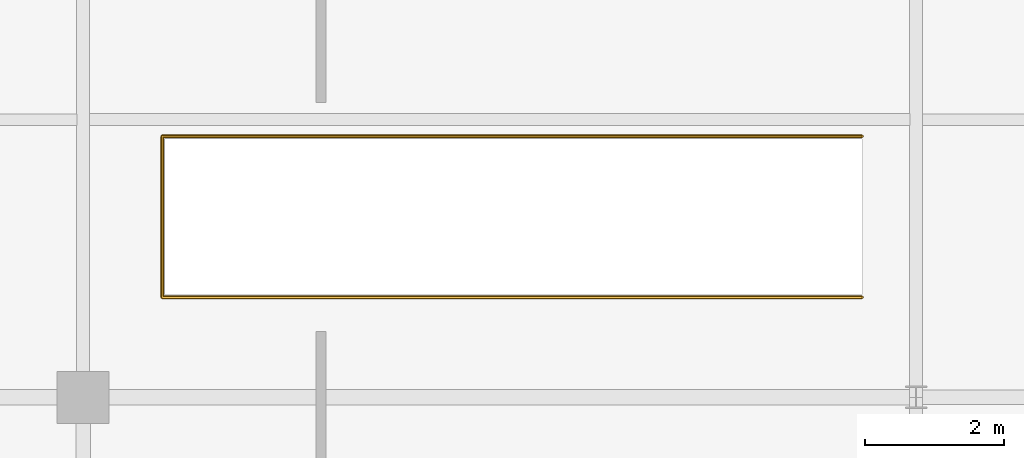
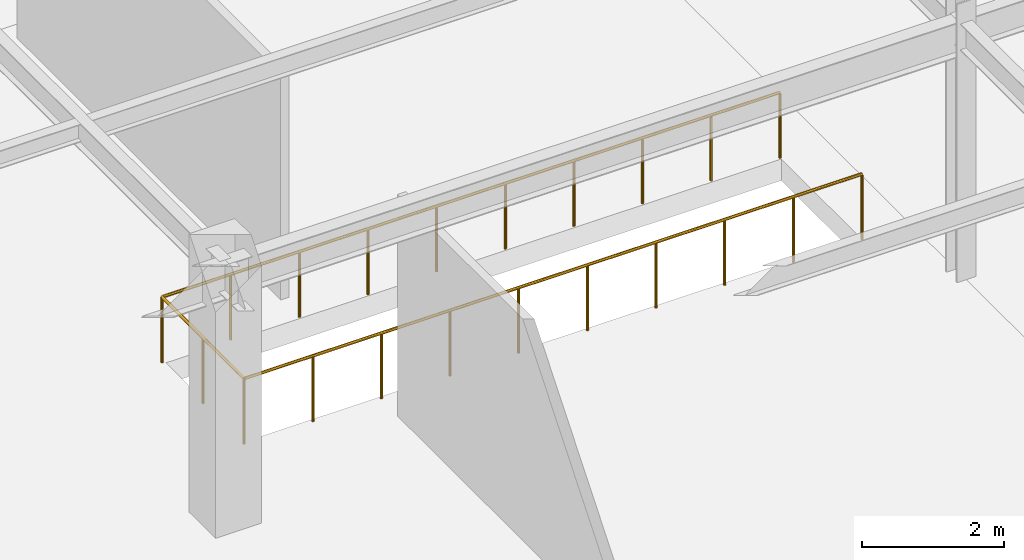
# One storey, part 177 of 199: 1 railing.
"""IFC4 building model written with IfcOpenShell, lengths in metres."""

import ifcopenshell
import ifcopenshell.guid

model = None  # the IFC model being written
_history = None  # IfcOwnerHistory: only IFC2X3 demands one
_inside = {}  # id of a spatial element -> (the spatial element, [elements in it])
_under = {}  # id of a project, library or spatial element -> (it, [spatial elements below it])
_declared = {}  # id of a project -> (the project, [libraries it declares])
_typed = {}  # id of a type object -> (the type object, [elements of that type])
_made_of = {}  # id of a material, layer set ... -> (it, [elements and type objects made of it])


def new_model(schema):
    """Start an empty IFC model of exactly this schema.

    Asked for "IFC4X3", IfcOpenShell would pick the latest addendum, in which some entities
    have other attributes; the version numbers below select the first issue.
    IFC2X3 requires an IfcOwnerHistory on every rooted entity: one is made here for all.
    """
    global model, _history
    if schema == "IFC4X3":
        model = ifcopenshell.file(schema_version=(4, 3, 0, 0))
    else:
        model = ifcopenshell.file(schema=schema)
    _inside.clear()
    _under.clear()
    _declared.clear()
    _typed.clear()
    _made_of.clear()
    _history = None
    if model.schema == "IFC2X3":
        org = make("IfcOrganization", Name="unknown")
        user = make(
            "IfcPersonAndOrganization",
            ThePerson=make("IfcPerson", FamilyName="unknown"),
            TheOrganization=org,
        )
        app = make(
            "IfcApplication",
            ApplicationDeveloper=org,
            Version="unknown",
            ApplicationFullName="unknown",
            ApplicationIdentifier="unknown",
        )
        _history = make(
            "IfcOwnerHistory",
            OwningUser=user,
            OwningApplication=app,
            ChangeAction="ADDED",
            CreationDate=0,
        )
    return model


def make(cls, **values):
    """One entity of the class cls with the attributes given. An attribute that is None is left unset."""
    return model.create_entity(
        cls, **{name: value for name, value in values.items() if value is not None}
    )


def rooted(cls, **values):
    """An entity with a GlobalId (a new one), such as an element, a storey or a relation."""
    return make(cls, GlobalId=ifcopenshell.guid.new(), OwnerHistory=_history, **values)


def si_unit(unit_type, name, prefix=None):
    """IfcSIUnit, for example si_unit("LENGTHUNIT", "METRE", prefix="MILLI")."""
    return make("IfcSIUnit", UnitType=unit_type, Prefix=prefix, Name=name)


def assignment(units):
    """IfcUnitAssignment: the units of a project."""
    return None if units is None else make("IfcUnitAssignment", Units=units)


def point(xyz):
    """IfcCartesianPoint."""
    return None if xyz is None else make("IfcCartesianPoint", Coordinates=xyz)


def direction(xyz):
    """IfcDirection."""
    return None if xyz is None else make("IfcDirection", DirectionRatios=xyz)


def frame(location, z_axis=None, x_axis=None):
    """IfcAxis2Placement3D, a coordinate frame: its origin and axes. An axis left out is left unset."""
    return make(
        "IfcAxis2Placement3D",
        Location=point(location),
        Axis=direction(z_axis),
        RefDirection=direction(x_axis),
    )


def frame_2d(location, x_axis=None):
    """IfcAxis2Placement2D, a coordinate frame in the plane: its origin and x axis."""
    return make(
        "IfcAxis2Placement2D", Location=point(location), RefDirection=direction(x_axis)
    )


def origin():
    """The frame at (0, 0, 0) with its axes left unset."""
    return frame((0.0, 0.0, 0.0))


def origin_2d():
    """The frame at (0, 0) in the plane with its x axis left unset."""
    return frame_2d((0.0, 0.0))


def place(relative_to, where):
    """IfcLocalPlacement: puts the frame where relative to a parent placement (None: the world)."""
    return make(
        "IfcLocalPlacement", PlacementRelTo=relative_to, RelativePlacement=where
    )


def context(
    kind, dimensions, precision=None, world=None, true_north=None, identifier=None
):
    """IfcGeometricRepresentationContext, for example the 3D "Model" context."""
    return make(
        "IfcGeometricRepresentationContext",
        ContextIdentifier=identifier,
        ContextType=kind,
        CoordinateSpaceDimension=dimensions,
        Precision=precision,
        WorldCoordinateSystem=world,
        TrueNorth=true_north,
    )


def subcontext(parent, identifier, kind, view, scale=None):
    """IfcGeometricRepresentationSubContext, for example "Body" below "Model"."""
    return make(
        "IfcGeometricRepresentationSubContext",
        ContextIdentifier=identifier,
        ContextType=kind,
        ParentContext=parent,
        TargetScale=scale,
        TargetView=view,
    )


def project(units=None, contexts=None):
    """IfcProject with its units and contexts."""
    return rooted(
        "IfcProject",
        Name="project",
        RepresentationContexts=contexts,
        UnitsInContext=assignment(units),
    )


def spatial(cls, under=None, at=None, **own):
    """A site, building, storey or space (cls), placed at a placement, below another one or the project."""
    s = rooted(cls, ObjectPlacement=at, **own)
    if under is not None:
        _under.setdefault(under.id(), (under, []))[1].append(s)
    return s


def profile(cls, at=None, kind="AREA", **sizes):
    """A parametric profile (cls). Its sizes go by their IFC names, for example OverallWidth=200.0."""
    return make(cls, ProfileType=kind, Position=at, **sizes)


def circle(**sizes):
    """IfcCircleProfileDef."""
    return profile("IfcCircleProfileDef", **sizes)


def extrude(swept, where, along, depth):
    """IfcExtrudedAreaSolid: the profile swept, set in the frame where, extruded along a direction by depth."""
    return make(
        "IfcExtrudedAreaSolid",
        SweptArea=swept,
        Position=where,
        ExtrudedDirection=direction(along),
        Depth=depth,
    )


def shape(context_of_items, identifier, shape_type, items):
    """IfcShapeRepresentation: the items that make up one representation, for example the "Body"."""
    return make(
        "IfcShapeRepresentation",
        ContextOfItems=context_of_items,
        RepresentationIdentifier=identifier,
        RepresentationType=shape_type,
        Items=items,
    )


def material(Name=None, Category=None):
    """IfcMaterial."""
    return make("IfcMaterial", Name=Name, Category=Category)


def made_of(thing, what):
    """Note that an element or type object is made of a material, layer set ...; save() writes the relation."""
    if what is not None:
        _made_of.setdefault(what.id(), (what, []))[1].append(thing)
    return thing


def type_object(cls, material=None, **own):
    """A type object (cls), such as IfcWallType, which elements share."""
    return made_of(rooted(cls, **own), material)


def element(
    cls,
    number,
    at=None,
    inside=None,
    cuts=None,
    type_object=None,
    material=None,
    context=None,
    identifier="Body",
    shape_type=None,
    held_by="IfcProductDefinitionShape",
    body=None,
    shapes=None,
    **own,
):
    """One element of the class cls, such as IfcWall. Its Tag is "e" and its number.

    at: its placement. inside: the storey or other place that contains it. cuts: it is an
    opening in that element (IfcRelVoidsElement). A single representation is given by context,
    identifier, shape_type and body (its items); several are given by shapes. held_by: the class
    of the entity that holds the representations. save() writes the other relations.
    """
    e = rooted(cls, Tag="e%d" % number, ObjectPlacement=at, **own)
    if body is not None:
        shapes = [shape(context, identifier, shape_type, body)]
    if shapes is not None:
        e.Representation = make(held_by, Representations=shapes)
    if inside is not None:
        _inside.setdefault(inside.id(), (inside, []))[1].append(e)
    if cuts is not None:
        rooted(
            "IfcRelVoidsElement", RelatingBuildingElement=cuts, RelatedOpeningElement=e
        )
    if type_object is not None:
        _typed.setdefault(type_object.id(), (type_object, []))[1].append(e)
    return made_of(e, material)


def aggregate(whole, parts):
    """IfcRelAggregates: a whole, such as a stair, and the parts it consists of."""
    return rooted("IfcRelAggregates", RelatingObject=whole, RelatedObjects=parts)


def save(model, path):
    """Write the relations noted so far, then the file.

    IfcRelAggregates (storeys below a building ...), IfcRelContainedInSpatialStructure (elements
    in a storey), IfcRelDefinesByType, IfcRelAssociatesMaterial and IfcRelDeclares: one each for
    every whole, place, type object, material and project.
    """
    for whole, parts in _under.values():
        aggregate(whole, parts)
    for where, things in _inside.values():
        rooted(
            "IfcRelContainedInSpatialStructure",
            RelatedElements=things,
            RelatingStructure=where,
        )
    for kind, things in _typed.values():
        rooted("IfcRelDefinesByType", RelatedObjects=things, RelatingType=kind)
    for what, things in _made_of.values():
        rooted("IfcRelAssociatesMaterial", RelatedObjects=things, RelatingMaterial=what)
    for by, libraries in _declared.values():
        rooted("IfcRelDeclares", RelatingContext=by, RelatedDefinitions=libraries)
    model.write(path)


model = new_model("IFC4")

# Units and contexts
model_context = context("Model", 3, precision=1e-05, world=origin(), true_north=direction((0.0, 1.0)))
body_context = subcontext(model_context, "Body", "Model", "MODEL_VIEW")
ifc_project = project(units=[si_unit("LENGTHUNIT", "METRE"), si_unit("AREAUNIT", "SQUARE_METRE"), si_unit("VOLUMEUNIT", "CUBIC_METRE"), si_unit("PLANEANGLEUNIT", "RADIAN"), si_unit("MASSUNIT", "GRAM", prefix="KILO")], contexts=[model_context])

# Site, building, storey
site_placement = place(None, origin())
site = spatial("IfcSite", under=ifc_project, at=site_placement, CompositionType="ELEMENT")
building_placement = place(site_placement, origin())
building = spatial("IfcBuilding", under=site, at=building_placement, Name="Tarnwether General Hospital", CompositionType="ELEMENT")
storey_placement = place(building_placement, origin())
storey = spatial("IfcBuildingStorey", under=building, at=storey_placement, Name="L00", CompositionType="ELEMENT", Elevation=0.0)

# Railing
ifc_material = material(Name="Anodised aluminium", Category="aluminium")
railing_type = type_object("IfcRailingType", Name="RL-GRD-EXT", PredefinedType="GUARDRAIL", material=ifc_material)
railing_placement = place(storey_placement, frame((23.219970703125, 35.0400390625, 0.0)))
element("IfcRailing", 1, at=railing_placement, inside=storey, type_object=railing_type, Name="Feature Stair Well Guard ST-15 L00", PredefinedType="GUARDRAIL", context=body_context, shape_type="SweptSolid", body=[
    extrude(circle(Radius=0.02392578125, at=origin_2d()), frame((0.0, 0.0, 1.1259765625), z_axis=(-1.0, 0.0, 0.0), x_axis=(0.0, -1.0, 0.0)), (0.0, 0.0, 1.0), 10.080078125),
    extrude(circle(Radius=0.02392578125, at=origin_2d()), frame((-10.080078125, 0.0, 1.1259765625), z_axis=(0.0, 1.0, 0.0), x_axis=(-1.0, 0.0, 0.0)), (0.0, 0.0, 1.0), 2.320068359375),
    extrude(circle(Radius=0.02392578125, at=origin_2d()), frame((-10.080078125, 2.320068359375, 1.1259765625), z_axis=(1.0, 0.0, 0.0), x_axis=(0.0, 1.0, 0.0)), (0.0, 0.0, 1.0), 10.080078125),
    extrude(circle(Radius=0.02099609375, at=origin_2d()), origin(), (0.0, 0.0, 1.0), 1.101806640625),
    extrude(circle(Radius=0.02099609375, at=origin_2d()), frame((-1.1201171875, 0.0, 0.0)), (0.0, 0.0, 1.0), 1.101806640625),
    extrude(circle(Radius=0.02099609375, at=origin_2d()), frame((-2.239990234375, 0.0, 0.0)), (0.0, 0.0, 1.0), 1.101806640625),
    extrude(circle(Radius=0.02099609375, at=origin_2d()), frame((-3.360107421875, 0.0, 0.0)), (0.0, 0.0, 1.0), 1.101806640625),
    extrude(circle(Radius=0.02099609375, at=origin_2d()), frame((-4.47998046875, 0.0, 0.0)), (0.0, 0.0, 1.0), 1.101806640625),
    extrude(circle(Radius=0.02099609375, at=origin_2d()), frame((-5.60009765625, 0.0, 0.0)), (0.0, 0.0, 1.0), 1.101806640625),
    extrude(circle(Radius=0.02099609375, at=origin_2d()), frame((-6.719970703125, 0.0, 0.0)), (0.0, 0.0, 1.0), 1.101806640625),
    extrude(circle(Radius=0.02099609375, at=origin_2d()), frame((-7.840087890625, 0.0, 0.0)), (0.0, 0.0, 1.0), 1.101806640625),
    extrude(circle(Radius=0.02099609375, at=origin_2d()), frame((-8.9599609375, 0.0, 0.0)), (0.0, 0.0, 1.0), 1.101806640625),
    extrude(circle(Radius=0.02099609375, at=origin_2d()), frame((-10.080078125, 0.0, 0.0)), (0.0, 0.0, 1.0), 1.101806640625),
    extrude(circle(Radius=0.02099609375, at=origin_2d()), frame((-10.080078125, 1.16015625, 0.0)), (0.0, 0.0, 1.0), 1.101806640625),
    extrude(circle(Radius=0.02099609375, at=origin_2d()), frame((-10.080078125, 2.320068359375, 0.0)), (0.0, 0.0, 1.0), 1.101806640625),
    extrude(circle(Radius=0.02099609375, at=origin_2d()), frame((-8.9599609375, 2.320068359375, 0.0)), (0.0, 0.0, 1.0), 1.101806640625),
    extrude(circle(Radius=0.02099609375, at=origin_2d()), frame((-7.840087890625, 2.320068359375, 0.0)), (0.0, 0.0, 1.0), 1.101806640625),
    extrude(circle(Radius=0.02099609375, at=origin_2d()), frame((-6.719970703125, 2.320068359375, 0.0)), (0.0, 0.0, 1.0), 1.101806640625),
    extrude(circle(Radius=0.02099609375, at=origin_2d()), frame((-5.60009765625, 2.320068359375, 0.0)), (0.0, 0.0, 1.0), 1.101806640625),
    extrude(circle(Radius=0.02099609375, at=origin_2d()), frame((-4.47998046875, 2.320068359375, 0.0)), (0.0, 0.0, 1.0), 1.101806640625),
    extrude(circle(Radius=0.02099609375, at=origin_2d()), frame((-3.360107421875, 2.320068359375, 0.0)), (0.0, 0.0, 1.0), 1.101806640625),
    extrude(circle(Radius=0.02099609375, at=origin_2d()), frame((-2.239990234375, 2.320068359375, 0.0)), (0.0, 0.0, 1.0), 1.101806640625),
    extrude(circle(Radius=0.02099609375, at=origin_2d()), frame((-1.1201171875, 2.320068359375, 0.0)), (0.0, 0.0, 1.0), 1.101806640625),
    extrude(circle(Radius=0.02099609375, at=origin_2d()), frame((0.0, 2.320068359375, 0.0)), (0.0, 0.0, 1.0), 1.101806640625),
])

save(model, "model.ifc")
